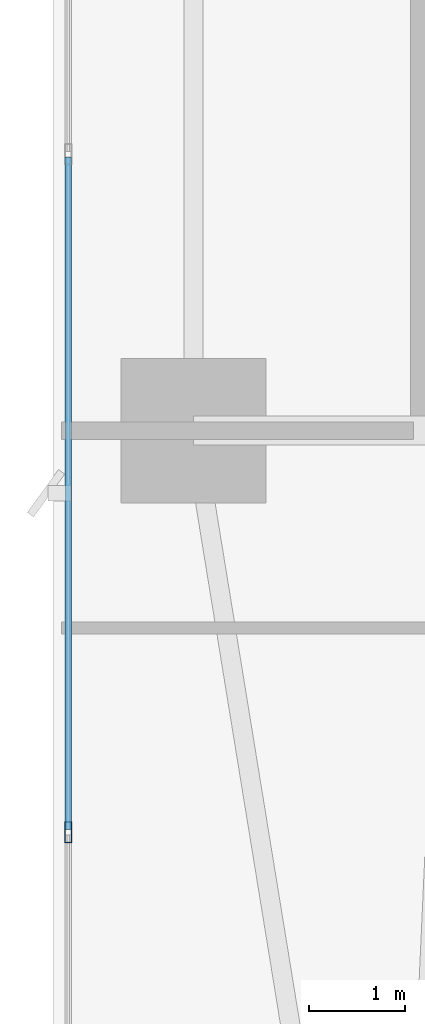
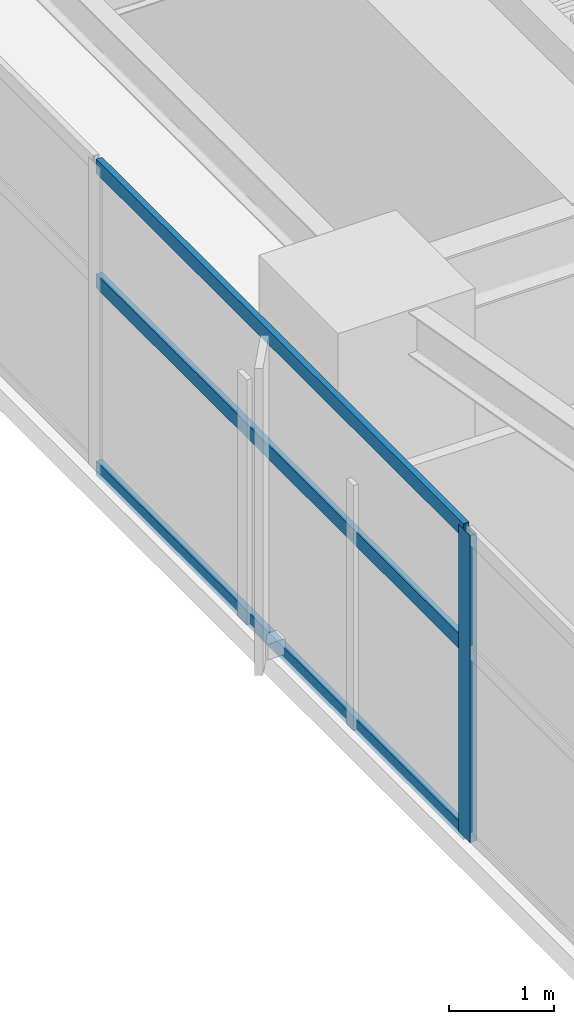
# One storey, part 4 of 29: 4 members, 1 element without a shape of its own.
"""IFC4 building model written with IfcOpenShell, lengths in metres."""

from ifc_helpers import new_model, si_unit, direction, frame, origin, origin_2d, place, context, subcontext, project, spatial, hollow_rectangle, extrude, material, layer, layer_set, material_profile, profile_set, type_object, element, aggregate, save


model = new_model("IFC4")

# Units and contexts
model_context = context("Model", 3, precision=1e-05, world=origin(), true_north=direction((0.0, 1.0)))
body_context = subcontext(model_context, "Body", "Model", "MODEL_VIEW")
ifc_project = project(units=[si_unit("LENGTHUNIT", "METRE"), si_unit("AREAUNIT", "SQUARE_METRE"), si_unit("VOLUMEUNIT", "CUBIC_METRE"), si_unit("PLANEANGLEUNIT", "RADIAN"), si_unit("MASSUNIT", "GRAM", prefix="KILO")], contexts=[model_context])

# Site, building, storey
site_placement = place(None, origin())
site = spatial("IfcSite", under=ifc_project, at=site_placement, CompositionType="ELEMENT")
building_placement = place(site_placement, origin())
building = spatial("IfcBuilding", under=site, at=building_placement, Name="Calvorn Quay Hotel", CompositionType="ELEMENT")
storey_placement = place(building_placement, frame((0.0, 0.0, 62.199951171875)))
storey = spatial("IfcBuildingStorey", under=building, at=storey_placement, Name="L14", CompositionType="ELEMENT", Elevation=62.199951171875)

# Curtain wall, members
ifc_material_1 = material(Name="Pale Anodised Aluminium and Low-E Glass", Category="aluminium")
ifc_layer = layer(ifc_material_1, 0.219970703125)
ifc_layer_set = layer_set([ifc_layer], Name="CW-SYS-Z1")
curtain_wall_type = type_object("IfcCurtainWallType", Name="CW-SYS-Z1", PredefinedType="NOTDEFINED", material=ifc_layer_set)
curtain_wall_placement = place(storey_placement, origin())
curtain_wall = element("IfcCurtainWall", 1, at=curtain_wall_placement, inside=storey, type_object=curtain_wall_type, Name="Tower West Curtain Wall (L14)", PredefinedType="NOTDEFINED")
ifc_material_2 = material(Name="Pale Anodised Aluminium 6063-T6", Category="aluminium")
ifc_material_profile_1 = material_profile(ifc_material_2, hollow_rectangle(XDim=0.074951171875, YDim=0.219970703125, WallThickness=0.00439453125, at=origin_2d()), Name="ALU-M220x75x4.5")
ifc_profile_set_1 = profile_set([ifc_material_profile_1], Name="Pale Anodised Aluminium 6063-T6")
member_type_1 = type_object("IfcMemberType", Name="CW-SYS-Z1-MUL", PredefinedType="MULLION", material=ifc_profile_set_1)
member_1_placement = place(storey_placement, frame((0.14990234375, 12.63330078125, 0.0), z_axis=(0.0, 0.0, 1.0), x_axis=(-1.0, 0.0, 0.0)))
member_1 = element("IfcMember", 2, at=member_1_placement, type_object=member_type_1, Name="CW-L14-W mullion 2", PredefinedType="MULLION", context=body_context, shape_type="SweptSolid", body=[
    extrude(hollow_rectangle(XDim=0.074951171875, YDim=0.219970703125, WallThickness=0.00439453125, at=origin_2d()), origin(), (0.0, 0.0, 1.0), 3.56005859375),
])
ifc_material_3 = material(Name="Pale Anodised Aluminium 6063-T6", Category="aluminium")
ifc_material_profile_2 = material_profile(ifc_material_3, hollow_rectangle(XDim=0.06494140625, YDim=0.1650390625, WallThickness=0.00341796875, at=origin_2d()), Name="ALU-T165x65x3.5")
ifc_profile_set_2 = profile_set([ifc_material_profile_2], Name="Pale Anodised Aluminium 6063-T6")
member_type_2 = type_object("IfcMemberType", Name="CW-SYS-Z1-TRN", PredefinedType="USERDEFINED", material=ifc_profile_set_2)
member_2_placement = place(storey_placement, frame((0.14990234375, 12.663330078125, 0.030029296875), z_axis=(0.0, 1.0, 0.0), x_axis=(-1.0, 0.0, 0.0)))
member_2 = element("IfcMember", 3, at=member_2_placement, type_object=member_type_2, Name="CW-L14-W transom 2.1", ObjectType="TRANSOM", PredefinedType="USERDEFINED", context=body_context, shape_type="SweptSolid", body=[
    extrude(hollow_rectangle(XDim=0.06494140625, YDim=0.1650390625, WallThickness=0.00341796875, at=origin_2d()), origin(), (0.0, 0.0, 1.0), 6.973388671875),
])
member_3_placement = place(storey_placement, frame((0.14990234375, 12.663330078125, 2.199951171875), z_axis=(0.0, 1.0, 0.0), x_axis=(-1.0, 0.0, 0.0)))
member_3 = element("IfcMember", 4, at=member_3_placement, type_object=member_type_2, Name="CW-L14-W transom 2.2", ObjectType="TRANSOM", PredefinedType="USERDEFINED", context=body_context, shape_type="SweptSolid", body=[
    extrude(hollow_rectangle(XDim=0.06494140625, YDim=0.1650390625, WallThickness=0.00341796875, at=origin_2d()), origin(), (0.0, 0.0, 1.0), 6.973388671875),
])
member_4_placement = place(storey_placement, frame((0.14990234375, 12.663330078125, 3.530029296875), z_axis=(0.0, 1.0, 0.0), x_axis=(-1.0, 0.0, 0.0)))
member_4 = element("IfcMember", 5, at=member_4_placement, type_object=member_type_2, Name="CW-L14-W transom 2.3", ObjectType="TRANSOM", PredefinedType="USERDEFINED", context=body_context, shape_type="SweptSolid", body=[
    extrude(hollow_rectangle(XDim=0.06494140625, YDim=0.1650390625, WallThickness=0.00341796875, at=origin_2d()), origin(), (0.0, 0.0, 1.0), 6.973388671875),
])
aggregate(curtain_wall, [member_1, member_2, member_3, member_4])

save(model, "model.ifc")
